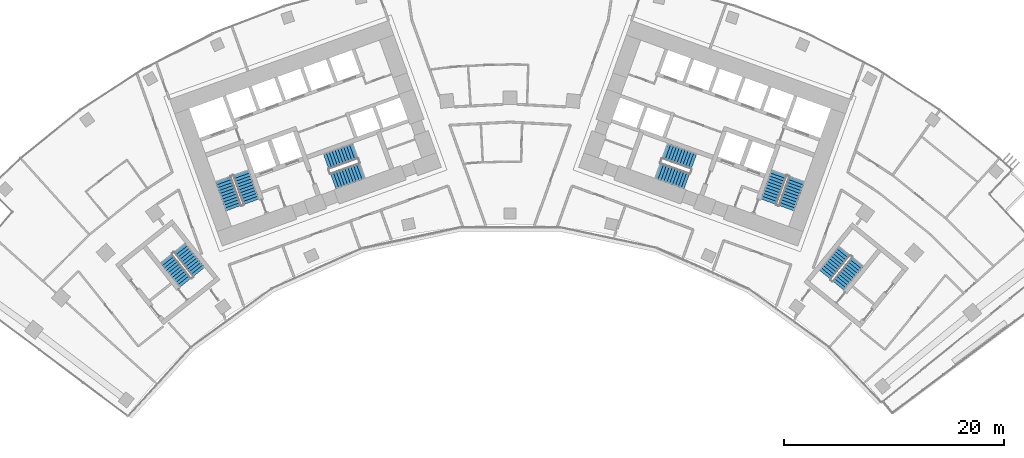
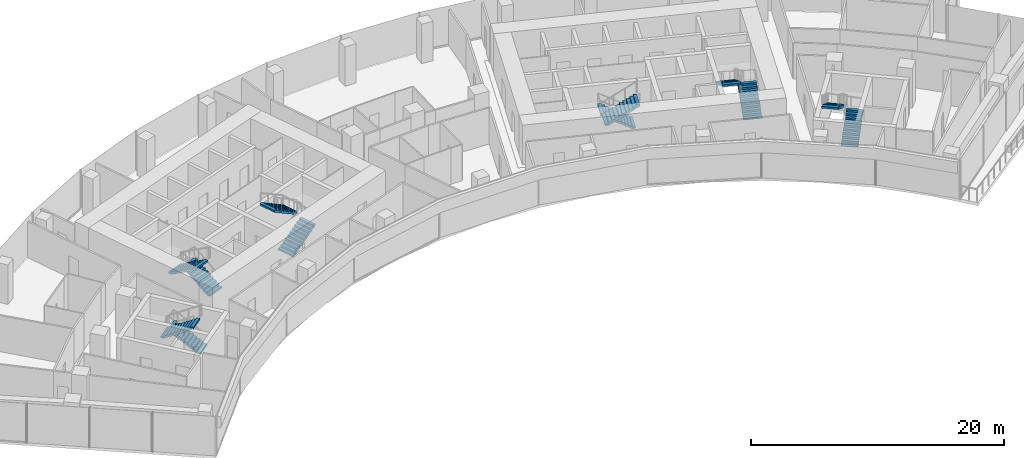
# One storey, part 19 of 21: 12 stair flights, 6 elements without a shape of their own.
"""IFC4 building model written with IfcOpenShell, lengths in metres."""

from ifc_helpers import new_model, si_unit, direction, frame, origin, place, context, subcontext, project, spatial, polyline, outline, extrude, material, type_object, element, aggregate, save


model = new_model("IFC4")

# Units and contexts
model_context = context("Model", 3, precision=1e-05, world=origin(), true_north=direction((0.0, 1.0)))
body_context = subcontext(model_context, "Body", "Model", "MODEL_VIEW")
ifc_project = project(units=[si_unit("LENGTHUNIT", "METRE"), si_unit("AREAUNIT", "SQUARE_METRE"), si_unit("VOLUMEUNIT", "CUBIC_METRE"), si_unit("PLANEANGLEUNIT", "RADIAN"), si_unit("MASSUNIT", "GRAM", prefix="KILO")], contexts=[model_context])

# Site, building, storey
site_placement = place(None, origin())
site = spatial("IfcSite", under=ifc_project, at=site_placement, CompositionType="ELEMENT")
building_placement = place(site_placement, origin())
building = spatial("IfcBuilding", under=site, at=building_placement, Name="Stone Belt Terrace Tower", CompositionType="ELEMENT")
storey_placement = place(building_placement, frame((0.0, 0.0, 159.199951171875)))
storey = spatial("IfcBuildingStorey", under=building, at=storey_placement, Name="L38", CompositionType="ELEMENT", Elevation=159.199951171875)

# Stair, stair flights
ifc_material = material(Name="Concrete B40", Category="concrete")
stair_type = type_object("IfcStairType", Name="Exit stair 1500", PredefinedType="HALF_TURN_STAIR", material=ifc_material)
stair_1_placement = place(storey_placement, origin())
stair_1 = element("IfcStair", 1, at=stair_1_placement, inside=storey, type_object=stair_type, Name="L38 Exit stair 1 core A", PredefinedType="HALF_TURN_STAIR")
stair_flight_type = type_object("IfcStairFlightType", Name="Stair flight 1500", PredefinedType="STRAIGHT", material=ifc_material)
stair_flight_1_placement = place(storey_placement, frame((-23.55322265625, 45.51318359375, 0.0), z_axis=(0.0, 0.0, 1.0), x_axis=(-0.338624396177, 0.940921632398, 0.0)))
stair_flight_1 = element("IfcStairFlight", 2, at=stair_flight_1_placement, type_object=stair_flight_type, Name="ST1A flight 1", NumberOfRisers=11, NumberOfTreads=10, PredefinedType="STRAIGHT", RiserHeight=0.172727273, TreadLength=0.28, context=body_context, shape_type="SweptSolid", body=[
    extrude(outline(polyline([(0.0, 0.0), (0.0, 0.172607421875), (0.280029296875, 0.172607421875), (0.280029296875, 0.345458984375), (0.56005859375, 0.345458984375), (0.56005859375, 0.51806640625), (0.840087890625, 0.51806640625), (0.840087890625, 0.69091796875), (1.1201171875, 0.69091796875), (1.1201171875, 0.863525390625), (1.39990234375, 0.863525390625), (1.39990234375, 1.036376953125), (1.679931640625, 1.036376953125), (1.679931640625, 1.208984375), (1.9599609375, 1.208984375), (1.9599609375, 1.3818359375), (2.239990234375, 1.3818359375), (2.239990234375, 1.554443359375), (2.52001953125, 1.554443359375), (2.52001953125, 1.727294921875), (2.800048828125, 1.727294921875), (2.800048828125, 1.89990234375), (2.800048828125, 1.551025390625), (0.285400390625, 0.0), (0.0, 0.0)])), frame((0.0, 0.75, 0.0), z_axis=(0.0, -1.0, 0.0), x_axis=(1.0, 0.0, 0.0)), (0.0, 0.0, 1.0), 1.5),
])
stair_flight_2_placement = place(storey_placement, frame((-26.10107421875, 47.572021484375, 1.900146484375), z_axis=(0.0, 0.0, 1.0), x_axis=(0.338624396177, -0.940921632398, 0.0)))
stair_flight_2 = element("IfcStairFlight", 3, at=stair_flight_2_placement, type_object=stair_flight_type, Name="ST1A flight 2", NumberOfRisers=11, NumberOfTreads=10, PredefinedType="STRAIGHT", RiserHeight=0.172727273, TreadLength=0.28, context=body_context, shape_type="SweptSolid", body=[
    extrude(outline(polyline([(0.0, 0.0), (0.0, 0.172607421875), (0.280029296875, 0.172607421875), (0.280029296875, 0.345458984375), (0.56005859375, 0.345458984375), (0.56005859375, 0.51806640625), (0.840087890625, 0.51806640625), (0.840087890625, 0.69091796875), (1.1201171875, 0.69091796875), (1.1201171875, 0.863525390625), (1.39990234375, 0.863525390625), (1.39990234375, 1.036376953125), (1.679931640625, 1.036376953125), (1.679931640625, 1.208984375), (1.9599609375, 1.208984375), (1.9599609375, 1.3818359375), (2.239990234375, 1.3818359375), (2.239990234375, 1.554443359375), (2.52001953125, 1.554443359375), (2.52001953125, 1.727294921875), (2.800048828125, 1.727294921875), (2.800048828125, 1.89990234375), (2.800048828125, 1.551025390625), (0.285400390625, 0.0), (0.0, 0.0)])), frame((0.0, 0.75, 0.0), z_axis=(0.0, -1.0, 0.0), x_axis=(1.0, 0.0, 0.0)), (0.0, 0.0, 1.0), 1.5),
])
aggregate(stair_1, [stair_flight_1, stair_flight_2])

stair_2_placement = place(storey_placement, origin())
stair_2 = element("IfcStair", 4, at=stair_2_placement, inside=storey, type_object=stair_type, Name="L38 Exit stair 2 core A", PredefinedType="HALF_TURN_STAIR")
stair_flight_3_placement = place(storey_placement, frame((-16.101318359375, 47.39794921875, 0.0), z_axis=(0.0, 0.0, 1.0), x_axis=(0.940921632398, 0.338624396177, 0.0)))
stair_flight_3 = element("IfcStairFlight", 5, at=stair_flight_3_placement, type_object=stair_flight_type, Name="ST2A flight 1", NumberOfRisers=11, NumberOfTreads=10, PredefinedType="STRAIGHT", RiserHeight=0.172727273, TreadLength=0.28, context=body_context, shape_type="SweptSolid", body=[
    extrude(outline(polyline([(0.0, 0.0), (0.0, 0.172607421875), (0.280029296875, 0.172607421875), (0.280029296875, 0.345458984375), (0.56005859375, 0.345458984375), (0.56005859375, 0.51806640625), (0.840087890625, 0.51806640625), (0.840087890625, 0.69091796875), (1.1201171875, 0.69091796875), (1.1201171875, 0.863525390625), (1.39990234375, 0.863525390625), (1.39990234375, 1.036376953125), (1.679931640625, 1.036376953125), (1.679931640625, 1.208984375), (1.9599609375, 1.208984375), (1.9599609375, 1.3818359375), (2.239990234375, 1.3818359375), (2.239990234375, 1.554443359375), (2.52001953125, 1.554443359375), (2.52001953125, 1.727294921875), (2.800048828125, 1.727294921875), (2.800048828125, 1.89990234375), (2.800048828125, 1.551025390625), (0.285400390625, 0.0), (0.0, 0.0)])), frame((0.0, 0.75, 0.0), z_axis=(0.0, -1.0, 0.0), x_axis=(1.0, 0.0, 0.0)), (0.0, 0.0, 1.0), 1.5),
])
stair_flight_4_placement = place(storey_placement, frame((-14.110107421875, 50.1337890625, 1.900146484375), z_axis=(0.0, 0.0, 1.0), x_axis=(-0.940921632398, -0.338624396177, 0.0)))
stair_flight_4 = element("IfcStairFlight", 6, at=stair_flight_4_placement, type_object=stair_flight_type, Name="ST2A flight 2", NumberOfRisers=11, NumberOfTreads=10, PredefinedType="STRAIGHT", RiserHeight=0.172727273, TreadLength=0.28, context=body_context, shape_type="SweptSolid", body=[
    extrude(outline(polyline([(0.0, 0.0), (0.0, 0.172607421875), (0.280029296875, 0.172607421875), (0.280029296875, 0.345458984375), (0.56005859375, 0.345458984375), (0.56005859375, 0.51806640625), (0.840087890625, 0.51806640625), (0.840087890625, 0.69091796875), (1.1201171875, 0.69091796875), (1.1201171875, 0.863525390625), (1.39990234375, 0.863525390625), (1.39990234375, 1.036376953125), (1.679931640625, 1.036376953125), (1.679931640625, 1.208984375), (1.9599609375, 1.208984375), (1.9599609375, 1.3818359375), (2.239990234375, 1.3818359375), (2.239990234375, 1.554443359375), (2.52001953125, 1.554443359375), (2.52001953125, 1.727294921875), (2.800048828125, 1.727294921875), (2.800048828125, 1.89990234375), (2.800048828125, 1.551025390625), (0.285400390625, 0.0), (0.0, 0.0)])), frame((0.0, 0.75, 0.0), z_axis=(0.0, -1.0, 0.0), x_axis=(1.0, 0.0, 0.0)), (0.0, 0.0, 1.0), 1.5),
])
aggregate(stair_2, [stair_flight_3, stair_flight_4])

stair_3_placement = place(storey_placement, origin())
stair_3 = element("IfcStair", 7, at=stair_3_placement, inside=storey, type_object=stair_type, Name="L38 Exit stair 1 core B", PredefinedType="HALF_TURN_STAIR")
stair_flight_5_placement = place(storey_placement, frame((25.15283203125, 44.9375, 0.0), z_axis=(0.0, 0.0, 1.0), x_axis=(0.338624396177, 0.940921632398, 0.0)))
stair_flight_5 = element("IfcStairFlight", 8, at=stair_flight_5_placement, type_object=stair_flight_type, Name="ST1B flight 1", NumberOfRisers=11, NumberOfTreads=10, PredefinedType="STRAIGHT", RiserHeight=0.172727273, TreadLength=0.28, context=body_context, shape_type="SweptSolid", body=[
    extrude(outline(polyline([(0.0, 0.0), (0.0, 0.172607421875), (0.280029296875, 0.172607421875), (0.280029296875, 0.345458984375), (0.56005859375, 0.345458984375), (0.56005859375, 0.51806640625), (0.840087890625, 0.51806640625), (0.840087890625, 0.69091796875), (1.1201171875, 0.69091796875), (1.1201171875, 0.863525390625), (1.39990234375, 0.863525390625), (1.39990234375, 1.036376953125), (1.679931640625, 1.036376953125), (1.679931640625, 1.208984375), (1.9599609375, 1.208984375), (1.9599609375, 1.3818359375), (2.239990234375, 1.3818359375), (2.239990234375, 1.554443359375), (2.52001953125, 1.554443359375), (2.52001953125, 1.727294921875), (2.800048828125, 1.727294921875), (2.800048828125, 1.89990234375), (2.800048828125, 1.551025390625), (0.285400390625, 0.0), (0.0, 0.0)])), frame((0.0, 0.75, 0.0), z_axis=(0.0, -1.0, 0.0), x_axis=(1.0, 0.0, 0.0)), (0.0, 0.0, 1.0), 1.5),
])
stair_flight_6_placement = place(storey_placement, frame((24.50146484375, 48.147705078125, 1.900146484375), z_axis=(0.0, 0.0, 1.0), x_axis=(-0.338624396177, -0.940921632398, 0.0)))
stair_flight_6 = element("IfcStairFlight", 9, at=stair_flight_6_placement, type_object=stair_flight_type, Name="ST1B flight 2", NumberOfRisers=11, NumberOfTreads=10, PredefinedType="STRAIGHT", RiserHeight=0.172727273, TreadLength=0.28, context=body_context, shape_type="SweptSolid", body=[
    extrude(outline(polyline([(0.0, 0.0), (0.0, 0.172607421875), (0.280029296875, 0.172607421875), (0.280029296875, 0.345458984375), (0.56005859375, 0.345458984375), (0.56005859375, 0.51806640625), (0.840087890625, 0.51806640625), (0.840087890625, 0.69091796875), (1.1201171875, 0.69091796875), (1.1201171875, 0.863525390625), (1.39990234375, 0.863525390625), (1.39990234375, 1.036376953125), (1.679931640625, 1.036376953125), (1.679931640625, 1.208984375), (1.9599609375, 1.208984375), (1.9599609375, 1.3818359375), (2.239990234375, 1.3818359375), (2.239990234375, 1.554443359375), (2.52001953125, 1.554443359375), (2.52001953125, 1.727294921875), (2.800048828125, 1.727294921875), (2.800048828125, 1.89990234375), (2.800048828125, 1.551025390625), (0.285400390625, 0.0), (0.0, 0.0)])), frame((0.0, 0.75, 0.0), z_axis=(0.0, -1.0, 0.0), x_axis=(1.0, 0.0, 0.0)), (0.0, 0.0, 1.0), 1.5),
])
aggregate(stair_3, [stair_flight_5, stair_flight_6])

stair_4_placement = place(storey_placement, origin())
stair_4 = element("IfcStair", 10, at=stair_4_placement, inside=storey, type_object=stair_type, Name="L38 Exit stair 2 core B", PredefinedType="HALF_TURN_STAIR")
stair_flight_7_placement = place(storey_placement, frame((16.74462890625, 49.185546875, 0.0), z_axis=(0.0, 0.0, 1.0), x_axis=(-0.940921632398, 0.338624396177, 0.0)))
stair_flight_7 = element("IfcStairFlight", 11, at=stair_flight_7_placement, type_object=stair_flight_type, Name="ST2B flight 1", NumberOfRisers=11, NumberOfTreads=10, PredefinedType="STRAIGHT", RiserHeight=0.172727273, TreadLength=0.28, context=body_context, shape_type="SweptSolid", body=[
    extrude(outline(polyline([(0.0, 0.0), (0.0, 0.172607421875), (0.280029296875, 0.172607421875), (0.280029296875, 0.345458984375), (0.56005859375, 0.345458984375), (0.56005859375, 0.51806640625), (0.840087890625, 0.51806640625), (0.840087890625, 0.69091796875), (1.1201171875, 0.69091796875), (1.1201171875, 0.863525390625), (1.39990234375, 0.863525390625), (1.39990234375, 1.036376953125), (1.679931640625, 1.036376953125), (1.679931640625, 1.208984375), (1.9599609375, 1.208984375), (1.9599609375, 1.3818359375), (2.239990234375, 1.3818359375), (2.239990234375, 1.554443359375), (2.52001953125, 1.554443359375), (2.52001953125, 1.727294921875), (2.800048828125, 1.727294921875), (2.800048828125, 1.89990234375), (2.800048828125, 1.551025390625), (0.285400390625, 0.0), (0.0, 0.0)])), frame((0.0, 0.75, 0.0), z_axis=(0.0, -1.0, 0.0), x_axis=(1.0, 0.0, 0.0)), (0.0, 0.0, 1.0), 1.5),
])
stair_flight_8_placement = place(storey_placement, frame((13.466796875, 48.345947265625, 1.900146484375), z_axis=(0.0, 0.0, 1.0), x_axis=(0.940921632398, -0.338624396177, 0.0)))
stair_flight_8 = element("IfcStairFlight", 12, at=stair_flight_8_placement, type_object=stair_flight_type, Name="ST2B flight 2", NumberOfRisers=11, NumberOfTreads=10, PredefinedType="STRAIGHT", RiserHeight=0.172727273, TreadLength=0.28, context=body_context, shape_type="SweptSolid", body=[
    extrude(outline(polyline([(0.0, 0.0), (0.0, 0.172607421875), (0.280029296875, 0.172607421875), (0.280029296875, 0.345458984375), (0.56005859375, 0.345458984375), (0.56005859375, 0.51806640625), (0.840087890625, 0.51806640625), (0.840087890625, 0.69091796875), (1.1201171875, 0.69091796875), (1.1201171875, 0.863525390625), (1.39990234375, 0.863525390625), (1.39990234375, 1.036376953125), (1.679931640625, 1.036376953125), (1.679931640625, 1.208984375), (1.9599609375, 1.208984375), (1.9599609375, 1.3818359375), (2.239990234375, 1.3818359375), (2.239990234375, 1.554443359375), (2.52001953125, 1.554443359375), (2.52001953125, 1.727294921875), (2.800048828125, 1.727294921875), (2.800048828125, 1.89990234375), (2.800048828125, 1.551025390625), (0.285400390625, 0.0), (0.0, 0.0)])), frame((0.0, 0.75, 0.0), z_axis=(0.0, -1.0, 0.0), x_axis=(1.0, 0.0, 0.0)), (0.0, 0.0, 1.0), 1.5),
])
aggregate(stair_4, [stair_flight_7, stair_flight_8])

stair_5_placement = place(storey_placement, origin())
stair_5 = element("IfcStair", 13, at=stair_5_placement, inside=storey, type_object=stair_type, Name="L38 Exit stair 3A", PredefinedType="HALF_TURN_STAIR")
stair_flight_9_placement = place(storey_placement, frame((-28.325439453125, 39.1240234375, 0.0), z_axis=(0.0, 0.0, 1.0), x_axis=(-0.623121363691, 0.782125160132, 0.0)))
stair_flight_9 = element("IfcStairFlight", 14, at=stair_flight_9_placement, type_object=stair_flight_type, Name="ST3A flight 1", NumberOfRisers=11, NumberOfTreads=10, PredefinedType="STRAIGHT", RiserHeight=0.172727273, TreadLength=0.28, context=body_context, shape_type="SweptSolid", body=[
    extrude(outline(polyline([(0.0, 0.0), (0.0, 0.172607421875), (0.280029296875, 0.172607421875), (0.280029296875, 0.345458984375), (0.56005859375, 0.345458984375), (0.56005859375, 0.51806640625), (0.840087890625, 0.51806640625), (0.840087890625, 0.69091796875), (1.1201171875, 0.69091796875), (1.1201171875, 0.863525390625), (1.39990234375, 0.863525390625), (1.39990234375, 1.036376953125), (1.679931640625, 1.036376953125), (1.679931640625, 1.208984375), (1.9599609375, 1.208984375), (1.9599609375, 1.3818359375), (2.239990234375, 1.3818359375), (2.239990234375, 1.554443359375), (2.52001953125, 1.554443359375), (2.52001953125, 1.727294921875), (2.800048828125, 1.727294921875), (2.800048828125, 1.89990234375), (2.800048828125, 1.551025390625), (0.285400390625, 0.0), (0.0, 0.0)])), frame((0.0, 0.675048828125, 0.0), z_axis=(0.0, -1.0, 0.0), x_axis=(1.0, 0.0, 0.0)), (0.0, 0.0, 1.0), 1.35009765625),
])
stair_flight_10_placement = place(storey_placement, frame((-31.282470703125, 40.34814453125, 1.900146484375), z_axis=(0.0, 0.0, 1.0), x_axis=(0.623121363691, -0.782125160132, 0.0)))
stair_flight_10 = element("IfcStairFlight", 15, at=stair_flight_10_placement, type_object=stair_flight_type, Name="ST3A flight 2", NumberOfRisers=11, NumberOfTreads=10, PredefinedType="STRAIGHT", RiserHeight=0.172727273, TreadLength=0.28, context=body_context, shape_type="SweptSolid", body=[
    extrude(outline(polyline([(0.0, 0.0), (0.0, 0.172607421875), (0.280029296875, 0.172607421875), (0.280029296875, 0.345458984375), (0.56005859375, 0.345458984375), (0.56005859375, 0.51806640625), (0.840087890625, 0.51806640625), (0.840087890625, 0.69091796875), (1.1201171875, 0.69091796875), (1.1201171875, 0.863525390625), (1.39990234375, 0.863525390625), (1.39990234375, 1.036376953125), (1.679931640625, 1.036376953125), (1.679931640625, 1.208984375), (1.9599609375, 1.208984375), (1.9599609375, 1.3818359375), (2.239990234375, 1.3818359375), (2.239990234375, 1.554443359375), (2.52001953125, 1.554443359375), (2.52001953125, 1.727294921875), (2.800048828125, 1.727294921875), (2.800048828125, 1.89990234375), (2.800048828125, 1.551025390625), (0.285400390625, 0.0), (0.0, 0.0)])), frame((0.0, 0.675048828125, 0.0), z_axis=(0.0, -1.0, 0.0), x_axis=(1.0, 0.0, 0.0)), (0.0, 0.0, 1.0), 1.35009765625),
])
aggregate(stair_5, [stair_flight_9, stair_flight_10])

stair_6_placement = place(storey_placement, origin())
stair_6 = element("IfcStair", 16, at=stair_6_placement, inside=storey, type_object=stair_type, Name="L38 Exit stair 3B", PredefinedType="HALF_TURN_STAIR")
stair_flight_11_placement = place(storey_placement, frame((29.88330078125, 37.887939453125, 0.0), z_axis=(0.0, 0.0, 1.0), x_axis=(0.630205749599, 0.776428176441, 0.0)))
stair_flight_11 = element("IfcStairFlight", 17, at=stair_flight_11_placement, type_object=stair_flight_type, Name="ST3B flight 1", NumberOfRisers=11, NumberOfTreads=10, PredefinedType="STRAIGHT", RiserHeight=0.172727273, TreadLength=0.28, context=body_context, shape_type="SweptSolid", body=[
    extrude(outline(polyline([(0.0, 0.0), (0.0, 0.172607421875), (0.280029296875, 0.172607421875), (0.280029296875, 0.345458984375), (0.56005859375, 0.345458984375), (0.56005859375, 0.51806640625), (0.840087890625, 0.51806640625), (0.840087890625, 0.69091796875), (1.1201171875, 0.69091796875), (1.1201171875, 0.863525390625), (1.39990234375, 0.863525390625), (1.39990234375, 1.036376953125), (1.679931640625, 1.036376953125), (1.679931640625, 1.208984375), (1.9599609375, 1.208984375), (1.9599609375, 1.3818359375), (2.239990234375, 1.3818359375), (2.239990234375, 1.554443359375), (2.52001953125, 1.554443359375), (2.52001953125, 1.727294921875), (2.800048828125, 1.727294921875), (2.800048828125, 1.89990234375), (2.800048828125, 1.551025390625), (0.285400390625, 0.0), (0.0, 0.0)])), frame((0.0, 0.675048828125, 0.0), z_axis=(0.0, -1.0, 0.0), x_axis=(1.0, 0.0, 0.0)), (0.0, 0.0, 1.0), 1.35009765625),
])
stair_flight_12_placement = place(storey_placement, frame((30.4443359375, 41.038818359375, 1.900146484375), z_axis=(0.0, 0.0, 1.0), x_axis=(-0.630205749599, -0.776428176441, 0.0)))
stair_flight_12 = element("IfcStairFlight", 18, at=stair_flight_12_placement, type_object=stair_flight_type, Name="ST3B flight 2", NumberOfRisers=11, NumberOfTreads=10, PredefinedType="STRAIGHT", RiserHeight=0.172727273, TreadLength=0.28, context=body_context, shape_type="SweptSolid", body=[
    extrude(outline(polyline([(0.0, 0.0), (0.0, 0.172607421875), (0.280029296875, 0.172607421875), (0.280029296875, 0.345458984375), (0.56005859375, 0.345458984375), (0.56005859375, 0.51806640625), (0.840087890625, 0.51806640625), (0.840087890625, 0.69091796875), (1.1201171875, 0.69091796875), (1.1201171875, 0.863525390625), (1.39990234375, 0.863525390625), (1.39990234375, 1.036376953125), (1.679931640625, 1.036376953125), (1.679931640625, 1.208984375), (1.9599609375, 1.208984375), (1.9599609375, 1.3818359375), (2.239990234375, 1.3818359375), (2.239990234375, 1.554443359375), (2.52001953125, 1.554443359375), (2.52001953125, 1.727294921875), (2.800048828125, 1.727294921875), (2.800048828125, 1.89990234375), (2.800048828125, 1.551025390625), (0.285400390625, 0.0), (0.0, 0.0)])), frame((0.0, 0.675048828125, 0.0), z_axis=(0.0, -1.0, 0.0), x_axis=(1.0, 0.0, 0.0)), (0.0, 0.0, 1.0), 1.35009765625),
])
aggregate(stair_6, [stair_flight_11, stair_flight_12])

save(model, "model.ifc")
